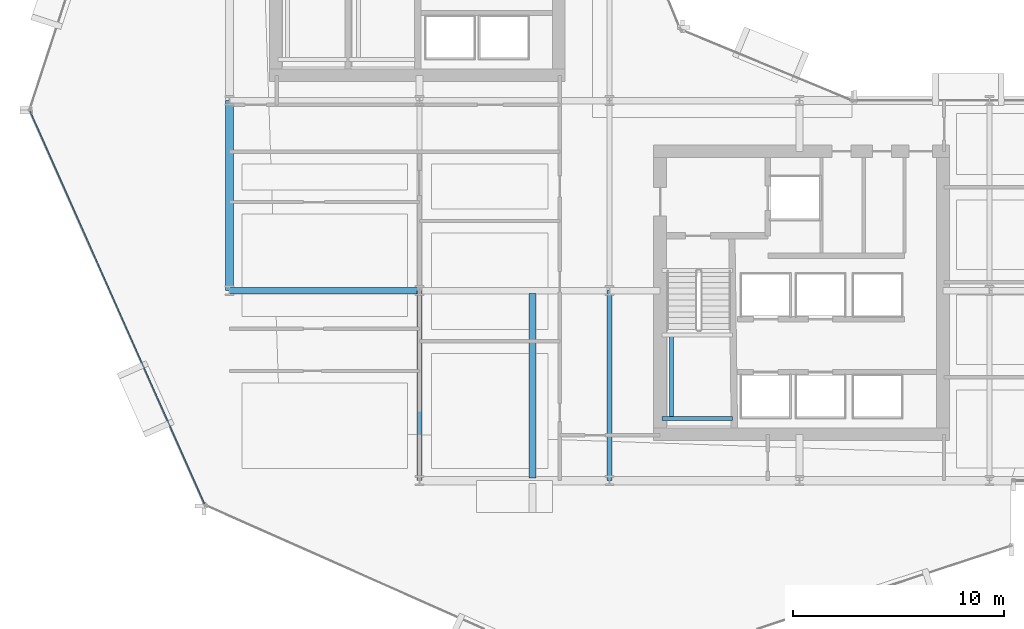
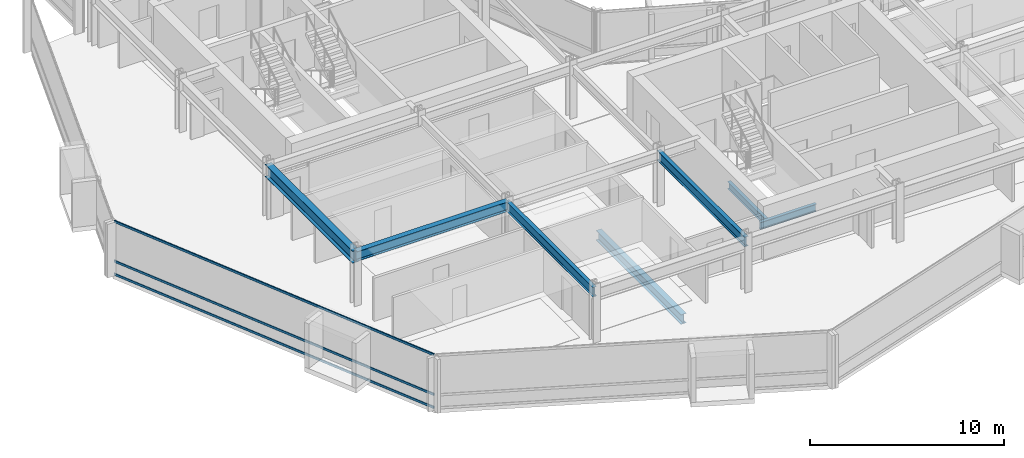
# One storey, part 5 of 35: 7 beams, 3 members, 1 element without a shape of its own.
"""IFC4 building model written with IfcOpenShell, lengths in metres."""

from ifc_helpers import new_model, si_unit, direction, frame, origin, origin_2d, place, context, subcontext, project, spatial, hollow_rectangle, i_section, extrude, material, layer, layer_set, material_profile, profile_set, type_object, element, aggregate, save


model = new_model("IFC4")

# Units and contexts
model_context = context("Model", 3, precision=1e-05, world=origin(), true_north=direction((0.0, 1.0)))
body_context = subcontext(model_context, "Body", "Model", "MODEL_VIEW")
ifc_project = project(units=[si_unit("LENGTHUNIT", "METRE"), si_unit("AREAUNIT", "SQUARE_METRE"), si_unit("VOLUMEUNIT", "CUBIC_METRE"), si_unit("PLANEANGLEUNIT", "RADIAN"), si_unit("MASSUNIT", "GRAM", prefix="KILO")], contexts=[model_context])

# Site, building, storey
site_placement = place(None, origin())
site = spatial("IfcSite", under=ifc_project, at=site_placement, CompositionType="ELEMENT")
building_placement = place(site_placement, origin())
building = spatial("IfcBuilding", under=site, at=building_placement, Name="Solvaryn Broadcast Tower", CompositionType="ELEMENT")
storey_placement = place(building_placement, frame((0.0, 0.0, 80.39990234375)))
storey = spatial("IfcBuildingStorey", under=building, at=storey_placement, Name="L19", CompositionType="ELEMENT", Elevation=80.39990234375)

# Beams
ifc_material_1 = material(Name="Steel ASTM A992 Grade 50", Category="steel")
ifc_material_profile_1 = material_profile(ifc_material_1, i_section(OverallWidth=0.323974609375, OverallDepth=0.611083984375, WebThickness=0.0126953125, FlangeThickness=0.01904296875, FilletRadius=0.014892578125, at=origin_2d()))
ifc_profile_set_1 = profile_set([ifc_material_profile_1], Name="Steel ASTM A992 Grade 50")
beam_type_1 = type_object("IfcBeamType", Name="BM-B1-W24X104", PredefinedType="BEAM", material=ifc_profile_set_1)
beam_1_placement = place(storey_placement, frame((23.35009765625, 17.875, -0.58544921875), z_axis=(0.0, -1.0, 0.0), x_axis=(1.0, 0.0, 0.0)))
element("IfcBeam", 1, at=beam_1_placement, inside=storey, type_object=beam_type_1, Name="L19 Bay-Box Back-Span Beam 1", PredefinedType="BEAM", context=body_context, shape_type="SweptSolid", body=[
    extrude(i_section(OverallWidth=0.323974609375, OverallDepth=0.611083984375, WebThickness=0.0126953125, FlangeThickness=0.01904296875, FilletRadius=0.014892578125, at=origin_2d()), origin(), (0.0, 0.0, 1.0), 8.75),
])
beam_2_placement = place(storey_placement, frame((9.0, 18.0, 3.064697265625), z_axis=(1.0, 0.0, 0.0), x_axis=(0.0, 1.0, 0.0)))
element("IfcBeam", 2, at=beam_2_placement, inside=storey, type_object=beam_type_1, Name="L19 Primary Beam X (9-18 @ Y=18)", PredefinedType="BEAM", context=body_context, shape_type="SweptSolid", body=[
    extrude(i_section(OverallWidth=0.323974609375, OverallDepth=0.611083984375, WebThickness=0.0126953125, FlangeThickness=0.01904296875, FilletRadius=0.014892578125, at=origin_2d()), origin(), (0.0, 0.0, 1.0), 9.0),
])
ifc_material_2 = material(Name="Steel ASTM A992 Grade 50", Category="steel")
ifc_material_profile_2 = material_profile(ifc_material_2, i_section(OverallWidth=0.22802734375, OverallDepth=0.60791015625, WebThickness=0.01123046875, FlangeThickness=0.017333984375, FilletRadius=0.014892578125, at=origin_2d()))
ifc_profile_set_2 = profile_set([ifc_material_profile_2], Name="Steel ASTM A992 Grade 50")
beam_type_2 = type_object("IfcBeamType", Name="BM-B2-W24X76", PredefinedType="BEAM", material=ifc_profile_set_2)
for number, where, z_axis, x_axis, name in (
    (3, (18.0, 9.0, 3.066162109375), (0.0, 1.0, 0.0), (-1.0, 0.0, 0.0), "L19 Primary Beam Y (9-18 @ X=18)"),
    (4, (27.0, 9.0, 3.066162109375), (0.0, 1.0, 0.0), (-1.0, 0.0, 0.0), "L19 Primary Beam Y (9-18 @ X=27)"),
):
    element("IfcBeam", number, at=place(storey_placement, frame(where, z_axis=z_axis, x_axis=x_axis)), inside=storey, type_object=beam_type_2, Name=name, PredefinedType="BEAM", context=body_context, shape_type="SweptSolid", body=[
        extrude(i_section(OverallWidth=0.22802734375, OverallDepth=0.60791015625, WebThickness=0.01123046875, FlangeThickness=0.017333984375, FilletRadius=0.014892578125, at=origin_2d()), origin(), (0.0, 0.0, 1.0), 9.0),
    ])
ifc_material_3 = material(Name="Steel ASTM A992 Grade 50", Category="steel")
ifc_material_profile_3 = material_profile(ifc_material_3, i_section(OverallWidth=0.18994140625, OverallDepth=0.45703125, WebThickness=0.009033203125, FlangeThickness=0.014404296875, FilletRadius=0.011962890625, at=origin_2d()))
ifc_profile_set_3 = profile_set([ifc_material_profile_3], Name="Steel ASTM A992 Grade 50")
beam_type_3 = type_object("IfcBeamType", Name="BM-B4-W18X50", PredefinedType="BEAM", material=ifc_profile_set_3)
beam_3_placement = place(storey_placement, frame((29.5, 11.949951171875, 1.421630859375), z_axis=(1.0, 0.0, 0.0), x_axis=(0.0, 1.0, 0.0)))
element("IfcBeam", 5, at=beam_3_placement, inside=storey, type_object=beam_type_3, Name="L19 ST3 Landing Support Beam 1A", PredefinedType="BEAM", context=body_context, shape_type="SweptSolid", body=[
    extrude(i_section(OverallWidth=0.18994140625, OverallDepth=0.45703125, WebThickness=0.009033203125, FlangeThickness=0.014404296875, FilletRadius=0.011962890625, at=origin_2d()), origin(), (0.0, 0.0, 1.0), 3.320068359375),
])
beam_4_placement = place(storey_placement, frame((29.949951171875, 11.949951171875, 1.421630859375), z_axis=(0.0, 1.0, 0.0), x_axis=(-1.0, 0.0, 0.0)))
element("IfcBeam", 6, at=beam_4_placement, inside=storey, type_object=beam_type_3, Name="L19 ST3 Landing Cross Stringer 1C", PredefinedType="BEAM", context=body_context, shape_type="SweptSolid", body=[
    extrude(i_section(OverallWidth=0.18994140625, OverallDepth=0.45703125, WebThickness=0.009033203125, FlangeThickness=0.014404296875, FilletRadius=0.011962890625, at=origin_2d()), origin(), (0.0, 0.0, 1.0), 3.9599609375),
])
ifc_material_4 = material(Name="Steel ASTM A992 Grade 50", Category="steel")
ifc_material_profile_4 = material_profile(ifc_material_4, i_section(OverallWidth=0.381103515625, OverallDepth=0.77294921875, WebThickness=0.0166015625, FlangeThickness=0.027099609375, FilletRadius=0.01806640625, at=origin_2d()))
ifc_profile_set_4 = profile_set([ifc_material_profile_4], Name="Steel ASTM A992 Grade 50")
beam_type_4 = type_object("IfcBeamType", Name="BM-SP1-W30X173", PredefinedType="USERDEFINED", material=ifc_profile_set_4)
beam_5_placement = place(storey_placement, frame((9.0, 18.0, 2.983642578125), z_axis=(0.0, 1.0, 0.0), x_axis=(-1.0, 0.0, 0.0)))
element("IfcBeam", 7, at=beam_5_placement, inside=storey, type_object=beam_type_4, Name="L19 Spandrel Beam Y (18-27 @ X=9)", ObjectType="SPANDREL", PredefinedType="USERDEFINED", context=body_context, shape_type="SweptSolid", body=[
    extrude(i_section(OverallWidth=0.381103515625, OverallDepth=0.77294921875, WebThickness=0.0166015625, FlangeThickness=0.027099609375, FilletRadius=0.01806640625, at=origin_2d()), origin(), (0.0, 0.0, 1.0), 9.0),
])

# Curtain wall, members
ifc_material_5 = material(Name="Aluminium and Terracotta Unitised Curtain Wall", Category="masonry")
ifc_layer = layer(ifc_material_5, 0.239990234375)
ifc_layer_set = layer_set([ifc_layer], Name="CW-SYS3-BAYBOX")
curtain_wall_type = type_object("IfcCurtainWallType", Name="CW-SYS3-BAYBOX", PredefinedType="NOTDEFINED", material=ifc_layer_set)
curtain_wall_placement = place(storey_placement, origin())
curtain_wall = element("IfcCurtainWall", 8, at=curtain_wall_placement, inside=storey, type_object=curtain_wall_type, Name="L19 Curtain Wall DR2", PredefinedType="NOTDEFINED")
ifc_material_6 = material(Name="Anodised Aluminium 6063-T6", Category="aluminium")
ifc_material_profile_5 = material_profile(ifc_material_6, hollow_rectangle(XDim=0.06494140625, YDim=0.14990234375, WallThickness=0.00390625, InnerFilletRadius=0.00390625, OuterFilletRadius=0.008056640625, at=origin_2d()))
ifc_profile_set_5 = profile_set([ifc_material_profile_5], Name="Anodised Aluminium 6063-T6")
member_type = type_object("IfcMemberType", Name="CW-TRN-150", PredefinedType="USERDEFINED", material=ifc_profile_set_5)
member_1_placement = place(storey_placement, frame((-0.439697265625, 26.505126953125, 0.030029296875), z_axis=(0.405905872269, -0.913914888191, 0.0), x_axis=(0.913914888191, 0.405905872269, 0.0)))
member_1 = element("IfcMember", 9, at=member_1_placement, type_object=member_type, Name="CWS3 transom 1.1", ObjectType="TRANSOM", PredefinedType="USERDEFINED", context=body_context, shape_type="SweptSolid", body=[
    extrude(hollow_rectangle(XDim=0.06494140625, YDim=0.14990234375, WallThickness=0.00390625, InnerFilletRadius=0.00390625, OuterFilletRadius=0.008056640625, at=origin_2d()), origin(), (0.0, 0.0, 1.0), 20.35546875),
])
member_2_placement = place(storey_placement, frame((-0.439697265625, 26.505126953125, 0.85009765625), z_axis=(0.405905872269, -0.913914888191, 0.0), x_axis=(0.913914888191, 0.405905872269, 0.0)))
member_2 = element("IfcMember", 10, at=member_2_placement, type_object=member_type, Name="CWS3 transom 1.2", ObjectType="TRANSOM", PredefinedType="USERDEFINED", context=body_context, shape_type="SweptSolid", body=[
    extrude(hollow_rectangle(XDim=0.06494140625, YDim=0.14990234375, WallThickness=0.00390625, InnerFilletRadius=0.00390625, OuterFilletRadius=0.008056640625, at=origin_2d()), origin(), (0.0, 0.0, 1.0), 20.35546875),
])
member_3_placement = place(storey_placement, frame((-0.439697265625, 26.505126953125, 3.340087890625), z_axis=(0.405905872269, -0.913914888191, 0.0), x_axis=(0.913914888191, 0.405905872269, 0.0)))
member_3 = element("IfcMember", 11, at=member_3_placement, type_object=member_type, Name="CWS3 transom 1.3", ObjectType="TRANSOM", PredefinedType="USERDEFINED", context=body_context, shape_type="SweptSolid", body=[
    extrude(hollow_rectangle(XDim=0.06494140625, YDim=0.14990234375, WallThickness=0.00390625, InnerFilletRadius=0.00390625, OuterFilletRadius=0.008056640625, at=origin_2d()), origin(), (0.0, 0.0, 1.0), 20.35546875),
])
aggregate(curtain_wall, [member_1, member_2, member_3])

save(model, "model.ifc")
